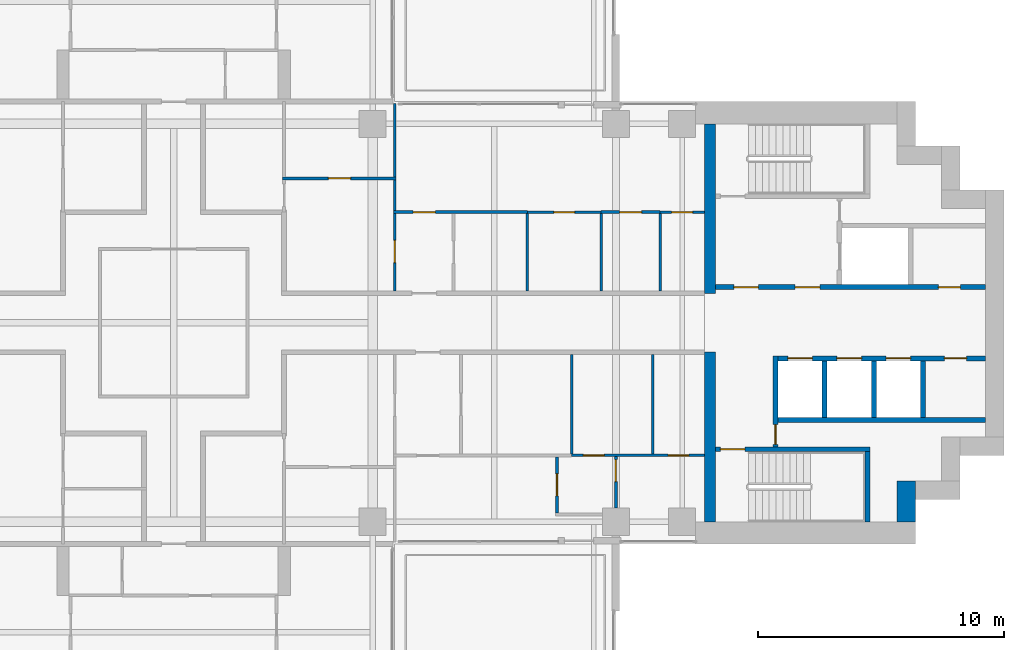
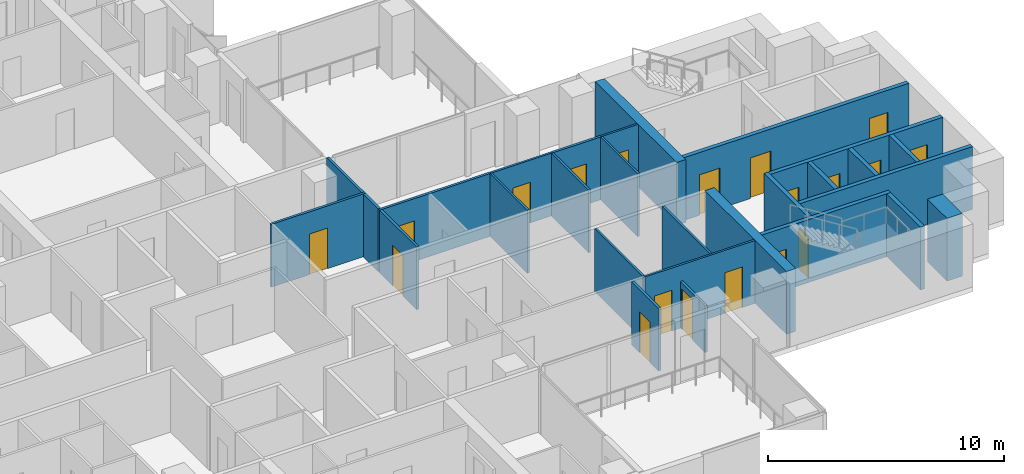
# One storey, part 12 of 19: 26 walls, 19 doors, 19 openings.
"""IFC4 building model written with IfcOpenShell, lengths in metres."""

from ifc_helpers import new_model, si_unit, direction, frame, frame_2d, origin, place, context, subcontext, project, spatial, rectangle, extrude, material, layer, layer_set, type_object, element, fill, save


model = new_model("IFC4")

# Units and contexts
model_context = context("Model", 3, precision=1e-05, world=origin(), true_north=direction((0.0, 1.0)))
body_context = subcontext(model_context, "Body", "Model", "MODEL_VIEW")
ifc_project = project(units=[si_unit("LENGTHUNIT", "METRE"), si_unit("AREAUNIT", "SQUARE_METRE"), si_unit("VOLUMEUNIT", "CUBIC_METRE"), si_unit("PLANEANGLEUNIT", "RADIAN"), si_unit("MASSUNIT", "GRAM", prefix="KILO")], contexts=[model_context])

# Site, building, storey
site_placement = place(None, origin())
site = spatial("IfcSite", under=ifc_project, at=site_placement, CompositionType="ELEMENT")
building_placement = place(site_placement, origin())
building = spatial("IfcBuilding", under=site, at=building_placement, Name="Perihelion Cross Residences", CompositionType="ELEMENT")
storey_placement = place(building_placement, frame((0.0, 0.0, 119.89990234375)))
storey = spatial("IfcBuildingStorey", under=building, at=storey_placement, Name="L28", CompositionType="ELEMENT", Elevation=119.89990234375)

# Walls
ifc_material_1 = material(Name="Concrete C60/75", Category="concrete")
ifc_layer_1 = layer(ifc_material_1, 0.449951171875)
ifc_layer_set_1 = layer_set([ifc_layer_1], Name="Core wall, inner 450")
wall_type_1 = type_object("IfcWallType", Name="Core wall, inner 450", PredefinedType="SHEAR", material=ifc_layer_set_1)
for number, where, z_axis, x_axis, name in (
    (1, (21.824951171875, -8.10009765625, 0.0), (0.0, 0.0, 1.0), (0.0, 1.0, 0.0), "East core core wall, inner"),
    (2, (21.824951171875, 1.199951171875, 0.0), (0.0, 0.0, 1.0), (0.0, 1.0, 0.0), "East core core wall, inner"),
):
    element("IfcWall", number, at=place(storey_placement, frame(where, z_axis=z_axis, x_axis=x_axis)), inside=storey, type_object=wall_type_1, Name=name, PredefinedType="SHEAR", context=body_context, shape_type="SweptSolid", body=[
        extrude(rectangle(XDim=6.900146484375, YDim=0.449951171875, at=frame_2d((3.4501953125, 0.0))), origin(), (0.0, 0.0, 1.0), 3.25),
    ])
ifc_material_2 = material(Name="Concrete C60/75", Category="concrete")
ifc_layer_2 = layer(ifc_material_2, 0.75)
ifc_layer_set_2 = layer_set([ifc_layer_2], Name="Core wall, outer 750")
wall_type_2 = type_object("IfcWallType", Name="Core wall, outer 750", PredefinedType="SHEAR", material=ifc_layer_set_2)
wall_1_placement = place(storey_placement, frame((29.824951171875, -8.10009765625, 0.0), z_axis=(0.0, 0.0, 1.0), x_axis=(0.0, 1.0, 0.0)))
element("IfcWall", 3, at=wall_1_placement, inside=storey, type_object=wall_type_2, Name="East core core wall, outer", PredefinedType="SHEAR", context=body_context, shape_type="SweptSolid", body=[
    extrude(rectangle(XDim=1.650146484375, YDim=0.75, at=frame_2d((0.8251953125, 0.0))), origin(), (0.0, 0.0, 1.0), 3.25),
])

# Wall, opening, door
ifc_material_3 = material(Name="Concrete C50/60", Category="concrete")
ifc_layer_3 = layer(ifc_material_3, 0.199951171875)
ifc_layer_set_3 = layer_set([ifc_layer_3], Name="Lobby wall 200")
wall_type_3 = type_object("IfcWallType", Name="Lobby wall 200", PredefinedType="SOLIDWALL", material=ifc_layer_set_3)
wall_2_placement = place(storey_placement, frame((24.5, -5.050048828125, 0.0), z_axis=(0.0, 0.0, 1.0), x_axis=(0.0, 1.0, 0.0)))
wall_2 = element("IfcWall", 4, at=wall_2_placement, inside=storey, type_object=wall_type_3, Name="East core lobby wall", PredefinedType="SOLIDWALL", context=body_context, shape_type="SweptSolid", body=[
    extrude(rectangle(XDim=3.699951171875, YDim=0.199951171875, at=frame_2d((1.85009765625, 0.0))), origin(), (0.0, 0.0, 1.0), 3.25),
])
opening_1_placement = place(wall_2_placement, frame((0.10009765625, 0.0, 0.0)))
opening_1 = element("IfcOpeningElement", 5, at=opening_1_placement, cuts=wall_2, Name="Opening L28.C08", PredefinedType="OPENING", context=body_context, shape_type="SweptSolid", body=[
    extrude(rectangle(XDim=0.800048828125, YDim=2.10009765625, at=frame_2d((0.39990234375, 1.050048828125))), frame((0.0, 0.10986328125, 0.0), z_axis=(0.0, -1.0, 0.0), x_axis=(1.0, 0.0, 0.0)), (0.0, 0.0, 1.0), 0.219970703125),
])
ifc_material_4 = material(Name="Steel, powder coated", Category="steel")
door_type_1 = type_object("IfcDoorType", Name="Riser door 800", OperationType="SINGLE_SWING_LEFT", PredefinedType="DOOR", material=ifc_material_4)
door_1_placement = place(opening_1_placement, origin())
door_1 = element("IfcDoor", 6, at=door_1_placement, inside=storey, type_object=door_type_1, Name="East core riser door", OperationType="SINGLE_SWING_LEFT", OverallHeight=2.10009765625, OverallWidth=0.800048828125, PredefinedType="DOOR", context=body_context, shape_type="SweptSolid", body=[
    extrude(rectangle(XDim=0.800048828125, YDim=2.10009765625, at=frame_2d((0.39990234375, 1.050048828125))), frame((0.0, 0.02490234375, 0.0), z_axis=(0.0, -1.0, 0.0), x_axis=(1.0, 0.0, 0.0)), (0.0, 0.0, 1.0), 0.050048828125),
])
fill(opening_1, door_1)

ifc_material_5 = material(Name="Plasterboard partition")
ifc_layer_4 = layer(ifc_material_5, 0.1201171875)
ifc_layer_set_4 = layer_set([ifc_layer_4], Name="Partition wall 120")
wall_type_4 = type_object("IfcWallType", Name="Partition wall 120", PredefinedType="PARTITIONING", material=ifc_layer_set_4)
wall_3_placement = place(storey_placement, frame((8.93994140625, 4.5, 0.0), z_axis=(0.0, 0.0, 1.0), x_axis=(1.0, 0.0, 0.0)))
wall_3 = element("IfcWall", 7, at=wall_3_placement, inside=storey, type_object=wall_type_4, Name="Partition L28 W024", PredefinedType="PARTITIONING", context=body_context, shape_type="SweptSolid", body=[
    extrude(rectangle(XDim=5.4599609375, YDim=0.1201171875, at=frame_2d((2.72998046875, 0.0))), origin(), (0.0, 0.0, 1.0), 3.25),
])
opening_2_placement = place(wall_3_placement, frame((0.81005859375, 0.0, 0.0)))
opening_2 = element("IfcOpeningElement", 8, at=opening_2_placement, cuts=wall_3, Name="Opening L28.A08", PredefinedType="OPENING", context=body_context, shape_type="SweptSolid", body=[
    extrude(rectangle(XDim=0.89990234375, YDim=2.10009765625, at=frame_2d((0.449951171875, 1.050048828125))), frame((0.0, 0.070068359375, 0.0), z_axis=(0.0, -1.0, 0.0), x_axis=(1.0, 0.0, 0.0)), (0.0, 0.0, 1.0), 0.14013671875),
])
ifc_material_6 = material(Name="Timber door leaf", Category="wood")
door_type_2 = type_object("IfcDoorType", Name="Interior room door 900 x 2100", OperationType="SINGLE_SWING_LEFT", PredefinedType="DOOR", material=ifc_material_6)
door_2_placement = place(opening_2_placement, origin())
door_2 = element("IfcDoor", 9, at=door_2_placement, inside=storey, type_object=door_type_2, Name="Door L28.A08", OperationType="SINGLE_SWING_RIGHT", OverallHeight=2.10009765625, OverallWidth=0.89990234375, PredefinedType="DOOR", context=body_context, shape_type="SweptSolid", body=[
    extrude(rectangle(XDim=0.89990234375, YDim=2.10009765625, at=frame_2d((0.449951171875, 1.050048828125))), frame((0.0, 0.02490234375, 0.0), z_axis=(0.0, -1.0, 0.0), x_axis=(1.0, 0.0, 0.0)), (0.0, 0.0, 1.0), 0.050048828125),
])
fill(opening_2, door_2)

wall_4_placement = place(storey_placement, frame((9.0, 1.300048828125, 0.0), z_axis=(0.0, 0.0, 1.0), x_axis=(0.0, 1.0, 0.0)))
wall_4 = element("IfcWall", 10, at=wall_4_placement, inside=storey, type_object=wall_type_4, Name="Partition L28 W025", PredefinedType="PARTITIONING", context=body_context, shape_type="SweptSolid", body=[
    extrude(rectangle(XDim=7.619873046875, YDim=0.1201171875, at=frame_2d((3.81005859375, 0.0))), origin(), (0.0, 0.0, 1.0), 3.25),
])
opening_3_placement = place(wall_4_placement, frame((1.14990234375, 0.0, 0.0)))
opening_3 = element("IfcOpeningElement", 11, at=opening_3_placement, cuts=wall_4, Name="Opening L28.A04", PredefinedType="OPENING", context=body_context, shape_type="SweptSolid", body=[
    extrude(rectangle(XDim=0.89990234375, YDim=2.10009765625, at=frame_2d((0.449951171875, 1.050048828125))), frame((0.0, 0.070068359375, 0.0), z_axis=(0.0, -1.0, 0.0), x_axis=(1.0, 0.0, 0.0)), (0.0, 0.0, 1.0), 0.14013671875),
])
door_3_placement = place(opening_3_placement, origin())
door_3 = element("IfcDoor", 12, at=door_3_placement, inside=storey, type_object=door_type_2, Name="Door L28.A04", OperationType="SINGLE_SWING_RIGHT", OverallHeight=2.10009765625, OverallWidth=0.89990234375, PredefinedType="DOOR", context=body_context, shape_type="SweptSolid", body=[
    extrude(rectangle(XDim=0.89990234375, YDim=2.10009765625, at=frame_2d((0.449951171875, 1.050048828125))), frame((0.0, 0.02490234375, 0.0), z_axis=(0.0, -1.0, 0.0), x_axis=(1.0, 0.0, 0.0)), (0.0, 0.0, 1.0), 0.050048828125),
])
fill(opening_3, door_3)

wall_5_placement = place(storey_placement, frame((17.39990234375, 4.5, 0.0), z_axis=(0.0, 0.0, 1.0), x_axis=(1.0, 0.0, 0.0)))
wall_5 = element("IfcWall", 13, at=wall_5_placement, inside=storey, type_object=wall_type_4, Name="Partition L28 W030", PredefinedType="PARTITIONING", context=body_context, shape_type="SweptSolid", body=[
    extrude(rectangle(XDim=2.400146484375, YDim=0.1201171875, at=frame_2d((1.2001953125, 0.0))), origin(), (0.0, 0.0, 1.0), 3.25),
])
opening_4_placement = place(wall_5_placement, frame((0.75, 0.0, 0.0)))
opening_4 = element("IfcOpeningElement", 14, at=opening_4_placement, cuts=wall_5, Name="Opening L28.A09", PredefinedType="OPENING", context=body_context, shape_type="SweptSolid", body=[
    extrude(rectangle(XDim=0.89990234375, YDim=2.10009765625, at=frame_2d((0.449951171875, 1.050048828125))), frame((0.0, 0.070068359375, 0.0), z_axis=(0.0, -1.0, 0.0), x_axis=(1.0, 0.0, 0.0)), (0.0, 0.0, 1.0), 0.14013671875),
])
door_4_placement = place(opening_4_placement, origin())
door_4 = element("IfcDoor", 15, at=door_4_placement, inside=storey, type_object=door_type_2, Name="Door L28.A09", OperationType="SINGLE_SWING_RIGHT", OverallHeight=2.10009765625, OverallWidth=0.89990234375, PredefinedType="DOOR", context=body_context, shape_type="SweptSolid", body=[
    extrude(rectangle(XDim=0.89990234375, YDim=2.10009765625, at=frame_2d((0.449951171875, 1.050048828125))), frame((0.0, 0.02490234375, 0.0), z_axis=(0.0, -1.0, 0.0), x_axis=(1.0, 0.0, 0.0)), (0.0, 0.0, 1.0), 0.050048828125),
])
fill(opening_4, door_4)

wall_6_placement = place(storey_placement, frame((4.43994140625, 5.8798828125, 0.0), z_axis=(0.0, 0.0, 1.0), x_axis=(1.0, 0.0, 0.0)))
wall_6 = element("IfcWall", 16, at=wall_6_placement, inside=storey, type_object=wall_type_4, Name="Partition L28 W032", PredefinedType="PARTITIONING", context=body_context, shape_type="SweptSolid", body=[
    extrude(rectangle(XDim=4.6201171875, YDim=0.1201171875, at=frame_2d((2.31005859375, 0.0))), origin(), (0.0, 0.0, 1.0), 3.25),
])
opening_5_placement = place(wall_6_placement, frame((1.860107421875, 0.0, 0.0)))
opening_5 = element("IfcOpeningElement", 17, at=opening_5_placement, cuts=wall_6, Name="Opening L28.A06", PredefinedType="OPENING", context=body_context, shape_type="SweptSolid", body=[
    extrude(rectangle(XDim=0.89990234375, YDim=2.10009765625, at=frame_2d((0.449951171875, 1.050048828125))), frame((0.0, 0.070068359375, 0.0), z_axis=(0.0, -1.0, 0.0), x_axis=(1.0, 0.0, 0.0)), (0.0, 0.0, 1.0), 0.14013671875),
])
door_5_placement = place(opening_5_placement, origin())
door_5 = element("IfcDoor", 18, at=door_5_placement, inside=storey, type_object=door_type_2, Name="Door L28.A06", OperationType="SINGLE_SWING_RIGHT", OverallHeight=2.10009765625, OverallWidth=0.89990234375, PredefinedType="DOOR", context=body_context, shape_type="SweptSolid", body=[
    extrude(rectangle(XDim=0.89990234375, YDim=2.10009765625, at=frame_2d((0.449951171875, 1.050048828125))), frame((0.0, 0.02490234375, 0.0), z_axis=(0.0, -1.0, 0.0), x_axis=(1.0, 0.0, 0.0)), (0.0, 0.0, 1.0), 0.050048828125),
])
fill(opening_5, door_5)

wall_7_placement = place(storey_placement, frame((15.60009765625, -5.4599609375, 0.0), z_axis=(0.0, 0.0, 1.0), x_axis=(0.0, -1.0, 0.0)))
wall_7 = element("IfcWall", 19, at=wall_7_placement, inside=storey, type_object=wall_type_4, Name="Partition L28 W040", PredefinedType="PARTITIONING", context=body_context, shape_type="SweptSolid", body=[
    extrude(rectangle(XDim=2.280029296875, YDim=0.1201171875, at=frame_2d((1.14013671875, 0.0))), origin(), (0.0, 0.0, 1.0), 3.25),
])
opening_6_placement = place(wall_7_placement, frame((0.68994140625, 0.0, 0.0)))
opening_6 = element("IfcOpeningElement", 20, at=opening_6_placement, cuts=wall_7, Name="Opening L28.A13", PredefinedType="OPENING", context=body_context, shape_type="SweptSolid", body=[
    extrude(rectangle(XDim=0.89990234375, YDim=2.10009765625, at=frame_2d((0.449951171875, 1.050048828125))), frame((0.0, 0.070068359375, 0.0), z_axis=(0.0, -1.0, 0.0), x_axis=(1.0, 0.0, 0.0)), (0.0, 0.0, 1.0), 0.14013671875),
])
door_6_placement = place(opening_6_placement, origin())
door_6 = element("IfcDoor", 21, at=door_6_placement, inside=storey, type_object=door_type_2, Name="Door L28.A13", OperationType="SINGLE_SWING_LEFT", OverallHeight=2.10009765625, OverallWidth=0.89990234375, PredefinedType="DOOR", context=body_context, shape_type="SweptSolid", body=[
    extrude(rectangle(XDim=0.89990234375, YDim=2.10009765625, at=frame_2d((0.449951171875, 1.050048828125))), frame((0.0, 0.02490234375, 0.0), z_axis=(0.0, -1.0, 0.0), x_axis=(1.0, 0.0, 0.0)), (0.0, 0.0, 1.0), 0.050048828125),
])
fill(opening_6, door_6)

wall_8_placement = place(storey_placement, frame((18.0, -5.449951171875, 0.0), z_axis=(0.0, 0.0, 1.0), x_axis=(0.0, -1.0, 0.0)))
wall_8 = element("IfcWall", 22, at=wall_8_placement, inside=storey, type_object=wall_type_4, Name="Partition L28 W042", PredefinedType="PARTITIONING", context=body_context, shape_type="SweptSolid", body=[
    extrude(rectangle(XDim=2.10009765625, YDim=0.1201171875, at=frame_2d((1.050048828125, 0.0))), origin(), (0.0, 0.0, 1.0), 2.4140625),
])
opening_7_placement = place(wall_8_placement, frame((0.1201171875, 0.0, 0.0)))
opening_7 = element("IfcOpeningElement", 23, at=opening_7_placement, cuts=wall_8, Name="Opening L28.A16", PredefinedType="OPENING", context=body_context, shape_type="SweptSolid", body=[
    extrude(rectangle(XDim=0.89990234375, YDim=2.10009765625, at=frame_2d((0.449951171875, 1.050048828125))), frame((0.0, 0.070068359375, 0.0), z_axis=(0.0, -1.0, 0.0), x_axis=(1.0, 0.0, 0.0)), (0.0, 0.0, 1.0), 0.14013671875),
])
door_7_placement = place(opening_7_placement, origin())
door_7 = element("IfcDoor", 24, at=door_7_placement, inside=storey, type_object=door_type_2, Name="Door L28.A16", OperationType="SINGLE_SWING_LEFT", OverallHeight=2.10009765625, OverallWidth=0.89990234375, PredefinedType="DOOR", context=body_context, shape_type="SweptSolid", body=[
    extrude(rectangle(XDim=0.89990234375, YDim=2.10009765625, at=frame_2d((0.449951171875, 1.050048828125))), frame((0.0, 0.02490234375, 0.0), z_axis=(0.0, -1.0, 0.0), x_axis=(1.0, 0.0, 0.0)), (0.0, 0.0, 1.0), 0.050048828125),
])
fill(opening_7, door_7)

# Wall, openings, doors
ifc_material_7 = material(Name="Concrete C50/60", Category="concrete")
ifc_layer_5 = layer(ifc_material_7, 0.199951171875)
ifc_layer_set_5 = layer_set([ifc_layer_5], Name="Shaft wall 200")
wall_type_5 = type_object("IfcWallType", Name="Shaft wall 200", PredefinedType="SOLIDWALL", material=ifc_layer_set_5)
wall_9_placement = place(storey_placement, frame((22.050048828125, 1.449951171875, 0.0), z_axis=(0.0, 0.0, 1.0), x_axis=(1.0, 0.0, 0.0)))
wall_9 = element("IfcWall", 25, at=wall_9_placement, inside=storey, type_object=wall_type_5, Name="East core shaft wall", PredefinedType="SOLIDWALL", context=body_context, shape_type="SweptSolid", body=[
    extrude(rectangle(XDim=11.0, YDim=0.199951171875, at=frame_2d((5.5, 0.0))), origin(), (0.0, 0.0, 1.0), 3.25),
])
opening_8_placement = place(wall_9_placement, frame((0.75, 0.0, 0.0)))
opening_8 = element("IfcOpeningElement", 26, at=opening_8_placement, cuts=wall_9, Name="Opening L28.C07", PredefinedType="OPENING", context=body_context, shape_type="SweptSolid", body=[
    extrude(rectangle(XDim=1.0, YDim=2.10009765625, at=frame_2d((0.5, 1.050048828125))), frame((0.0, 0.10986328125, 0.0), z_axis=(0.0, -1.0, 0.0), x_axis=(1.0, 0.0, 0.0)), (0.0, 0.0, 1.0), 0.219970703125),
])
opening_9_placement = place(wall_9_placement, frame((3.25, 0.0, 0.0)))
opening_9 = element("IfcOpeningElement", 27, at=opening_9_placement, cuts=wall_9, Name="Opening L28.C09", PredefinedType="OPENING", context=body_context, shape_type="SweptSolid", body=[
    extrude(rectangle(XDim=1.0, YDim=2.10009765625, at=frame_2d((0.5, 1.050048828125))), frame((0.0, 0.10986328125, 0.0), z_axis=(0.0, -1.0, 0.0), x_axis=(1.0, 0.0, 0.0)), (0.0, 0.0, 1.0), 0.219970703125),
])
opening_10_placement = place(wall_9_placement, frame((9.074951171875, 0.0, 0.0)))
opening_10 = element("IfcOpeningElement", 28, at=opening_10_placement, cuts=wall_9, Name="Opening L28.C11", PredefinedType="OPENING", context=body_context, shape_type="SweptSolid", body=[
    extrude(rectangle(XDim=0.89990234375, YDim=2.10009765625, at=frame_2d((0.449951171875, 1.050048828125))), frame((0.0, 0.10986328125, 0.0), z_axis=(0.0, -1.0, 0.0), x_axis=(1.0, 0.0, 0.0)), (0.0, 0.0, 1.0), 0.219970703125),
])
ifc_material_8 = material(Name="Steel, powder coated", Category="steel")
door_type_3 = type_object("IfcDoorType", Name="Lobby door 1000", OperationType="SINGLE_SWING_LEFT", PredefinedType="DOOR", material=ifc_material_8)
door_8_placement = place(opening_8_placement, origin())
door_8 = element("IfcDoor", 29, at=door_8_placement, inside=storey, type_object=door_type_3, Name="East core firefighting lobby door", OperationType="SINGLE_SWING_LEFT", OverallHeight=2.10009765625, OverallWidth=1.0, PredefinedType="DOOR", context=body_context, shape_type="SweptSolid", body=[
    extrude(rectangle(XDim=1.0, YDim=2.10009765625, at=frame_2d((0.5, 1.050048828125))), frame((0.0, 0.02490234375, 0.0), z_axis=(0.0, -1.0, 0.0), x_axis=(1.0, 0.0, 0.0)), (0.0, 0.0, 1.0), 0.050048828125),
])
fill(opening_8, door_8)
door_9_placement = place(opening_9_placement, origin())
door_9 = element("IfcDoor", 30, at=door_9_placement, inside=storey, type_object=door_type_3, Name="East core firefighting lobby door", OperationType="SINGLE_SWING_LEFT", OverallHeight=2.10009765625, OverallWidth=1.0, PredefinedType="DOOR", context=body_context, shape_type="SweptSolid", body=[
    extrude(rectangle(XDim=1.0, YDim=2.10009765625, at=frame_2d((0.5, 1.050048828125))), frame((0.0, 0.02490234375, 0.0), z_axis=(0.0, -1.0, 0.0), x_axis=(1.0, 0.0, 0.0)), (0.0, 0.0, 1.0), 0.050048828125),
])
fill(opening_9, door_9)
ifc_material_9 = material(Name="Steel, powder coated", Category="steel")
door_type_4 = type_object("IfcDoorType", Name="Service room door 900", OperationType="SINGLE_SWING_LEFT", PredefinedType="DOOR", material=ifc_material_9)
door_10_placement = place(opening_10_placement, origin())
door_10 = element("IfcDoor", 31, at=door_10_placement, inside=storey, type_object=door_type_4, Name="East core service room door", OperationType="SINGLE_SWING_LEFT", OverallHeight=2.10009765625, OverallWidth=0.89990234375, PredefinedType="DOOR", context=body_context, shape_type="SweptSolid", body=[
    extrude(rectangle(XDim=0.89990234375, YDim=2.10009765625, at=frame_2d((0.449951171875, 1.050048828125))), frame((0.0, 0.02490234375, 0.0), z_axis=(0.0, -1.0, 0.0), x_axis=(1.0, 0.0, 0.0)), (0.0, 0.0, 1.0), 0.050048828125),
])
fill(opening_10, door_10)

wall_10_placement = place(storey_placement, frame((24.60009765625, -1.449951171875, 0.0), z_axis=(0.0, 0.0, 1.0), x_axis=(1.0, 0.0, 0.0)))
wall_10 = element("IfcWall", 32, at=wall_10_placement, inside=storey, type_object=wall_type_5, Name="East core shaft wall", PredefinedType="SOLIDWALL", context=body_context, shape_type="SweptSolid", body=[
    extrude(rectangle(XDim=8.449951171875, YDim=0.199951171875, at=frame_2d((4.22509765625, 0.0))), origin(), (0.0, 0.0, 1.0), 3.25),
])
opening_11_placement = place(wall_10_placement, frame((0.39990234375, 0.0, 0.0)))
opening_11 = element("IfcOpeningElement", 33, at=opening_11_placement, cuts=wall_10, Name="Opening L28.C01", PredefinedType="OPENING", context=body_context, shape_type="SweptSolid", body=[
    extrude(rectangle(XDim=1.0, YDim=2.10009765625, at=frame_2d((0.5, 1.050048828125))), frame((0.0, 0.10986328125, 0.0), z_axis=(0.0, -1.0, 0.0), x_axis=(1.0, 0.0, 0.0)), (0.0, 0.0, 1.0), 0.219970703125),
])
opening_12_placement = place(wall_10_placement, frame((2.39990234375, 0.0, 0.0)))
opening_12 = element("IfcOpeningElement", 34, at=opening_12_placement, cuts=wall_10, Name="Opening L28.C03", PredefinedType="OPENING", context=body_context, shape_type="SweptSolid", body=[
    extrude(rectangle(XDim=1.0, YDim=2.10009765625, at=frame_2d((0.5, 1.050048828125))), frame((0.0, 0.10986328125, 0.0), z_axis=(0.0, -1.0, 0.0), x_axis=(1.0, 0.0, 0.0)), (0.0, 0.0, 1.0), 0.219970703125),
])
opening_13_placement = place(wall_10_placement, frame((4.39990234375, 0.0, 0.0)))
opening_13 = element("IfcOpeningElement", 35, at=opening_13_placement, cuts=wall_10, Name="Opening L28.C04", PredefinedType="OPENING", context=body_context, shape_type="SweptSolid", body=[
    extrude(rectangle(XDim=1.0, YDim=2.10009765625, at=frame_2d((0.5, 1.050048828125))), frame((0.0, 0.10986328125, 0.0), z_axis=(0.0, -1.0, 0.0), x_axis=(1.0, 0.0, 0.0)), (0.0, 0.0, 1.0), 0.219970703125),
])
opening_14_placement = place(wall_10_placement, frame((6.77490234375, 0.0, 0.0)))
opening_14 = element("IfcOpeningElement", 36, at=opening_14_placement, cuts=wall_10, Name="Opening L28.C12", PredefinedType="OPENING", context=body_context, shape_type="SweptSolid", body=[
    extrude(rectangle(XDim=0.89990234375, YDim=2.10009765625, at=frame_2d((0.449951171875, 1.050048828125))), frame((0.0, 0.10986328125, 0.0), z_axis=(0.0, -1.0, 0.0), x_axis=(1.0, 0.0, 0.0)), (0.0, 0.0, 1.0), 0.219970703125),
])
ifc_material_10 = material(Name="Stainless steel", Category="steel")
door_type_5 = type_object("IfcDoorType", Name="Landing door 1000", OperationType="DOUBLE_DOOR_SLIDING", PredefinedType="DOOR", material=ifc_material_10)
door_11_placement = place(opening_11_placement, origin())
door_11 = element("IfcDoor", 37, at=door_11_placement, inside=storey, type_object=door_type_5, Name="Landing door, East core high-rise lift 1", OperationType="DOUBLE_DOOR_SLIDING", OverallHeight=2.10009765625, OverallWidth=1.0, PredefinedType="DOOR", context=body_context, shape_type="SweptSolid", body=[
    extrude(rectangle(XDim=1.0, YDim=2.10009765625, at=frame_2d((0.5, 1.050048828125))), frame((0.0, 0.02490234375, 0.0), z_axis=(0.0, -1.0, 0.0), x_axis=(1.0, 0.0, 0.0)), (0.0, 0.0, 1.0), 0.050048828125),
])
fill(opening_11, door_11)
door_12_placement = place(opening_12_placement, origin())
door_12 = element("IfcDoor", 38, at=door_12_placement, inside=storey, type_object=door_type_5, Name="Landing door, East core high-rise lift 2", OperationType="DOUBLE_DOOR_SLIDING", OverallHeight=2.10009765625, OverallWidth=1.0, PredefinedType="DOOR", context=body_context, shape_type="SweptSolid", body=[
    extrude(rectangle(XDim=1.0, YDim=2.10009765625, at=frame_2d((0.5, 1.050048828125))), frame((0.0, 0.02490234375, 0.0), z_axis=(0.0, -1.0, 0.0), x_axis=(1.0, 0.0, 0.0)), (0.0, 0.0, 1.0), 0.050048828125),
])
fill(opening_12, door_12)
door_13_placement = place(opening_13_placement, origin())
door_13 = element("IfcDoor", 39, at=door_13_placement, inside=storey, type_object=door_type_5, Name="Landing door, East core high-rise lift 3", OperationType="DOUBLE_DOOR_SLIDING", OverallHeight=2.10009765625, OverallWidth=1.0, PredefinedType="DOOR", context=body_context, shape_type="SweptSolid", body=[
    extrude(rectangle(XDim=1.0, YDim=2.10009765625, at=frame_2d((0.5, 1.050048828125))), frame((0.0, 0.02490234375, 0.0), z_axis=(0.0, -1.0, 0.0), x_axis=(1.0, 0.0, 0.0)), (0.0, 0.0, 1.0), 0.050048828125),
])
fill(opening_13, door_13)
door_14_placement = place(opening_14_placement, origin())
door_14 = element("IfcDoor", 40, at=door_14_placement, inside=storey, type_object=door_type_4, Name="East core service room door", OperationType="SINGLE_SWING_LEFT", OverallHeight=2.10009765625, OverallWidth=0.89990234375, PredefinedType="DOOR", context=body_context, shape_type="SweptSolid", body=[
    extrude(rectangle(XDim=0.89990234375, YDim=2.10009765625, at=frame_2d((0.449951171875, 1.050048828125))), frame((0.0, 0.02490234375, 0.0), z_axis=(0.0, -1.0, 0.0), x_axis=(1.0, 0.0, 0.0)), (0.0, 0.0, 1.0), 0.050048828125),
])
fill(opening_14, door_14)

# Walls
wall_11_placement = place(storey_placement, frame((24.60009765625, -3.949951171875, 0.0), z_axis=(0.0, 0.0, 1.0), x_axis=(1.0, 0.0, 0.0)))
element("IfcWall", 41, at=wall_11_placement, inside=storey, type_object=wall_type_5, Name="East core shaft wall", PredefinedType="SOLIDWALL", context=body_context, shape_type="SweptSolid", body=[
    extrude(rectangle(XDim=8.449951171875, YDim=0.199951171875, at=frame_2d((4.22509765625, 0.0))), origin(), (0.0, 0.0, 1.0), 3.25),
])
for number, where, z_axis, x_axis, name in (
    (42, (26.5, -3.85009765625, 0.0), (0.0, 0.0, 1.0), (0.0, 1.0, 0.0), "East core shaft wall"),
    (43, (28.5, -3.85009765625, 0.0), (0.0, 0.0, 1.0), (0.0, 1.0, 0.0), "East core shaft wall"),
    (44, (30.5, -3.85009765625, 0.0), (0.0, 0.0, 1.0), (0.0, 1.0, 0.0), "East core shaft wall"),
):
    element("IfcWall", number, at=place(storey_placement, frame(where, z_axis=z_axis, x_axis=x_axis)), inside=storey, type_object=wall_type_5, Name=name, PredefinedType="SOLIDWALL", context=body_context, shape_type="SweptSolid", body=[
        extrude(rectangle(XDim=2.300048828125, YDim=0.199951171875, at=frame_2d((1.14990234375, 0.0))), origin(), (0.0, 0.0, 1.0), 3.25),
    ])

# Wall, opening, door
ifc_material_11 = material(Name="Concrete C50/60", Category="concrete")
ifc_layer_6 = layer(ifc_material_11, 0.199951171875)
ifc_layer_set_6 = layer_set([ifc_layer_6], Name="Stair wall 200")
wall_type_6 = type_object("IfcWallType", Name="Stair wall 200", PredefinedType="SOLIDWALL", material=ifc_layer_set_6)
wall_12_placement = place(storey_placement, frame((22.050048828125, -5.14990234375, 0.0), z_axis=(0.0, 0.0, 1.0), x_axis=(1.0, 0.0, 0.0)))
wall_12 = element("IfcWall", 45, at=wall_12_placement, inside=storey, type_object=wall_type_6, Name="East core stair wall", PredefinedType="SOLIDWALL", context=body_context, shape_type="SweptSolid", body=[
    extrude(rectangle(XDim=6.300048828125, YDim=0.199951171875, at=frame_2d((3.14990234375, 0.0))), origin(), (0.0, 0.0, 1.0), 3.25),
])
opening_15_placement = place(wall_12_placement, frame((0.199951171875, 0.0, 0.0)))
opening_15 = element("IfcOpeningElement", 46, at=opening_15_placement, cuts=wall_12, Name="Opening L28.C05", PredefinedType="OPENING", context=body_context, shape_type="SweptSolid", body=[
    extrude(rectangle(XDim=1.0, YDim=2.10009765625, at=frame_2d((0.5, 1.050048828125))), frame((0.0, 0.10986328125, 0.0), z_axis=(0.0, -1.0, 0.0), x_axis=(1.0, 0.0, 0.0)), (0.0, 0.0, 1.0), 0.219970703125),
])
ifc_material_12 = material(Name="Steel, powder coated", Category="steel")
door_type_6 = type_object("IfcDoorType", Name="Stair door 1000", OperationType="SINGLE_SWING_LEFT", PredefinedType="DOOR", material=ifc_material_12)
door_15_placement = place(opening_15_placement, origin())
door_15 = element("IfcDoor", 47, at=door_15_placement, inside=storey, type_object=door_type_6, Name="East core stair door", OperationType="SINGLE_SWING_LEFT", OverallHeight=2.10009765625, OverallWidth=1.0, PredefinedType="DOOR", context=body_context, shape_type="SweptSolid", body=[
    extrude(rectangle(XDim=1.0, YDim=2.10009765625, at=frame_2d((0.5, 1.050048828125))), frame((0.0, 0.02490234375, 0.0), z_axis=(0.0, -1.0, 0.0), x_axis=(1.0, 0.0, 0.0)), (0.0, 0.0, 1.0), 0.050048828125),
])
fill(opening_15, door_15)

# Walls
wall_13_placement = place(storey_placement, frame((28.25, -8.10009765625, 0.0), z_axis=(0.0, 0.0, 1.0), x_axis=(0.0, 1.0, 0.0)))
element("IfcWall", 48, at=wall_13_placement, inside=storey, type_object=wall_type_6, Name="East core stair wall", PredefinedType="SOLIDWALL", context=body_context, shape_type="SweptSolid", body=[
    extrude(rectangle(XDim=2.85009765625, YDim=0.199951171875, at=frame_2d((1.425048828125, 0.0))), origin(), (0.0, 0.0, 1.0), 3.25),
])
ifc_material_13 = material(Name="Plasterboard partition")
ifc_layer_7 = layer(ifc_material_13, 0.10009765625)
ifc_layer_set_7 = layer_set([ifc_layer_7], Name="Wet room wall 100")
wall_type_7 = type_object("IfcWallType", Name="Wet room wall 100", PredefinedType="PARTITIONING", material=ifc_layer_set_7)
for number, where, z_axis, x_axis, name in (
    (49, (14.39990234375, 4.43994140625, 0.0), (0.0, 0.0, 1.0), (0.0, -1.0, 0.0), "Partition L28 W026"),
    (50, (17.39990234375, 4.43994140625, 0.0), (0.0, 0.0, 1.0), (0.0, -1.0, 0.0), "Partition L28 W027"),
):
    element("IfcWall", number, at=place(storey_placement, frame(where, z_axis=z_axis, x_axis=x_axis)), inside=storey, type_object=wall_type_7, Name=name, PredefinedType="PARTITIONING", context=body_context, shape_type="SweptSolid", body=[
        extrude(rectangle(XDim=3.139892578125, YDim=0.10009765625, at=frame_2d((1.56982421875, 0.0))), origin(), (0.0, 0.0, 1.0), 3.25),
    ])

# Wall, opening, door
wall_14_placement = place(storey_placement, frame((14.39990234375, 4.5, 0.0), z_axis=(0.0, 0.0, 1.0), x_axis=(1.0, 0.0, 0.0)))
wall_14 = element("IfcWall", 51, at=wall_14_placement, inside=storey, type_object=wall_type_7, Name="Partition L28 W028", PredefinedType="PARTITIONING", context=body_context, shape_type="SweptSolid", body=[
    extrude(rectangle(XDim=3.0, YDim=0.10009765625, at=frame_2d((1.5, 0.0))), origin(), (0.0, 0.0, 1.0), 3.25),
])
opening_16_placement = place(wall_14_placement, frame((1.074951171875, 0.0, 0.0)))
opening_16 = element("IfcOpeningElement", 52, at=opening_16_placement, cuts=wall_14, Name="Opening L28.A02", PredefinedType="OPENING", context=body_context, shape_type="SweptSolid", body=[
    extrude(rectangle(XDim=0.85009765625, YDim=2.10009765625, at=frame_2d((0.425048828125, 1.050048828125))), frame((0.0, 0.06005859375, 0.0), z_axis=(0.0, -1.0, 0.0), x_axis=(1.0, 0.0, 0.0)), (0.0, 0.0, 1.0), 0.1201171875),
])
ifc_material_14 = material(Name="Timber door leaf", Category="wood")
door_type_7 = type_object("IfcDoorType", Name="Interior bathroom door 850 x 2100", OperationType="SINGLE_SWING_LEFT", PredefinedType="DOOR", material=ifc_material_14)
door_16_placement = place(opening_16_placement, origin())
door_16 = element("IfcDoor", 53, at=door_16_placement, inside=storey, type_object=door_type_7, Name="Door L28.A02", OperationType="SINGLE_SWING_LEFT", OverallHeight=2.10009765625, OverallWidth=0.85009765625, PredefinedType="DOOR", context=body_context, shape_type="SweptSolid", body=[
    extrude(rectangle(XDim=0.85009765625, YDim=2.10009765625, at=frame_2d((0.425048828125, 1.050048828125))), frame((0.0, 0.02490234375, 0.0), z_axis=(0.0, -1.0, 0.0), x_axis=(1.0, 0.0, 0.0)), (0.0, 0.0, 1.0), 0.050048828125),
])
fill(opening_16, door_16)

# Wall
wall_15_placement = place(storey_placement, frame((19.800048828125, 4.43994140625, 0.0), z_axis=(0.0, 0.0, 1.0), x_axis=(0.0, -1.0, 0.0)))
element("IfcWall", 54, at=wall_15_placement, inside=storey, type_object=wall_type_7, Name="Partition L28 W029", PredefinedType="PARTITIONING", context=body_context, shape_type="SweptSolid", body=[
    extrude(rectangle(XDim=3.139892578125, YDim=0.10009765625, at=frame_2d((1.56982421875, 0.0))), origin(), (0.0, 0.0, 1.0), 3.25),
])

# Wall, opening, door
wall_16_placement = place(storey_placement, frame((19.800048828125, 4.5, 0.0), z_axis=(0.0, 0.0, 1.0), x_axis=(1.0, 0.0, 0.0)))
wall_16 = element("IfcWall", 55, at=wall_16_placement, inside=storey, type_object=wall_type_7, Name="Partition L28 W031", PredefinedType="PARTITIONING", context=body_context, shape_type="SweptSolid", body=[
    extrude(rectangle(XDim=1.800048828125, YDim=0.10009765625, at=frame_2d((0.89990234375, 0.0))), origin(), (0.0, 0.0, 1.0), 3.25),
])
opening_17_placement = place(wall_16_placement, frame((0.47509765625, 0.0, 0.0)))
opening_17 = element("IfcOpeningElement", 56, at=opening_17_placement, cuts=wall_16, Name="Opening L28.A07", PredefinedType="OPENING", context=body_context, shape_type="SweptSolid", body=[
    extrude(rectangle(XDim=0.85009765625, YDim=2.10009765625, at=frame_2d((0.425048828125, 1.050048828125))), frame((0.0, 0.06005859375, 0.0), z_axis=(0.0, -1.0, 0.0), x_axis=(1.0, 0.0, 0.0)), (0.0, 0.0, 1.0), 0.1201171875),
])
door_17_placement = place(opening_17_placement, origin())
door_17 = element("IfcDoor", 57, at=door_17_placement, inside=storey, type_object=door_type_7, Name="Door L28.A07", OperationType="SINGLE_SWING_LEFT", OverallHeight=2.10009765625, OverallWidth=0.85009765625, PredefinedType="DOOR", context=body_context, shape_type="SweptSolid", body=[
    extrude(rectangle(XDim=0.85009765625, YDim=2.10009765625, at=frame_2d((0.425048828125, 1.050048828125))), frame((0.0, 0.02490234375, 0.0), z_axis=(0.0, -1.0, 0.0), x_axis=(1.0, 0.0, 0.0)), (0.0, 0.0, 1.0), 0.050048828125),
])
fill(opening_17, door_17)

# Walls
wall_17_placement = place(storey_placement, frame((16.199951171875, -1.300048828125, 0.0), z_axis=(0.0, 0.0, 1.0), x_axis=(0.0, -1.0, 0.0)))
element("IfcWall", 58, at=wall_17_placement, inside=storey, type_object=wall_type_7, Name="Partition L28 W037", PredefinedType="PARTITIONING", context=body_context, shape_type="SweptSolid", body=[
    extrude(rectangle(XDim=4.0400390625, YDim=0.10009765625, at=frame_2d((2.02001953125, 0.0))), origin(), (0.0, 0.0, 1.0), 3.25),
])
wall_18_placement = place(storey_placement, frame((19.5, -1.300048828125, 0.0), z_axis=(0.0, 0.0, 1.0), x_axis=(0.0, -1.0, 0.0)))
element("IfcWall", 59, at=wall_18_placement, inside=storey, type_object=wall_type_7, Name="Partition L28 W038", PredefinedType="PARTITIONING", context=body_context, shape_type="SweptSolid", body=[
    extrude(rectangle(XDim=4.050048828125, YDim=0.10009765625, at=frame_2d((2.02490234375, 0.0))), origin(), (0.0, 0.0, 1.0), 3.25),
])

# Wall, openings, doors
wall_19_placement = place(storey_placement, frame((21.60009765625, -5.39990234375, 0.0), z_axis=(0.0, 0.0, 1.0), x_axis=(-1.0, 0.0, 0.0)))
wall_19 = element("IfcWall", 60, at=wall_19_placement, inside=storey, type_object=wall_type_7, Name="Partition L28 W039", PredefinedType="PARTITIONING", context=body_context, shape_type="SweptSolid", body=[
    extrude(rectangle(XDim=5.400146484375, YDim=0.10009765625, at=frame_2d((2.7001953125, 0.0))), origin(), (0.0, 0.0, 1.0), 3.25),
])
opening_18_placement = place(wall_19_placement, frame((0.625, 0.0, 0.0)))
opening_18 = element("IfcOpeningElement", 61, at=opening_18_placement, cuts=wall_19, Name="Opening L28.A11", PredefinedType="OPENING", context=body_context, shape_type="SweptSolid", body=[
    extrude(rectangle(XDim=0.85009765625, YDim=2.10009765625, at=frame_2d((0.425048828125, 1.050048828125))), frame((0.0, 0.06005859375, 0.0), z_axis=(0.0, -1.0, 0.0), x_axis=(1.0, 0.0, 0.0)), (0.0, 0.0, 1.0), 0.1201171875),
])
opening_19_placement = place(wall_19_placement, frame((4.074951171875, 0.0, 0.0)))
opening_19 = element("IfcOpeningElement", 62, at=opening_19_placement, cuts=wall_19, Name="Opening L28.A17", PredefinedType="OPENING", context=body_context, shape_type="SweptSolid", body=[
    extrude(rectangle(XDim=0.85009765625, YDim=2.10009765625, at=frame_2d((0.425048828125, 1.050048828125))), frame((0.0, 0.06005859375, 0.0), z_axis=(0.0, -1.0, 0.0), x_axis=(1.0, 0.0, 0.0)), (0.0, 0.0, 1.0), 0.1201171875),
])
door_18_placement = place(opening_18_placement, origin())
door_18 = element("IfcDoor", 63, at=door_18_placement, inside=storey, type_object=door_type_7, Name="Door L28.A11", OperationType="SINGLE_SWING_LEFT", OverallHeight=2.10009765625, OverallWidth=0.85009765625, PredefinedType="DOOR", context=body_context, shape_type="SweptSolid", body=[
    extrude(rectangle(XDim=0.85009765625, YDim=2.10009765625, at=frame_2d((0.425048828125, 1.050048828125))), frame((0.0, 0.02490234375, 0.0), z_axis=(0.0, -1.0, 0.0), x_axis=(1.0, 0.0, 0.0)), (0.0, 0.0, 1.0), 0.050048828125),
])
fill(opening_18, door_18)
door_19_placement = place(opening_19_placement, origin())
door_19 = element("IfcDoor", 64, at=door_19_placement, inside=storey, type_object=door_type_7, Name="Door L28.A17", OperationType="SINGLE_SWING_LEFT", OverallHeight=2.10009765625, OverallWidth=0.85009765625, PredefinedType="DOOR", context=body_context, shape_type="SweptSolid", body=[
    extrude(rectangle(XDim=0.85009765625, YDim=2.10009765625, at=frame_2d((0.425048828125, 1.050048828125))), frame((0.0, 0.02490234375, 0.0), z_axis=(0.0, -1.0, 0.0), x_axis=(1.0, 0.0, 0.0)), (0.0, 0.0, 1.0), 0.050048828125),
])
fill(opening_19, door_19)

save(model, "model.ifc")
